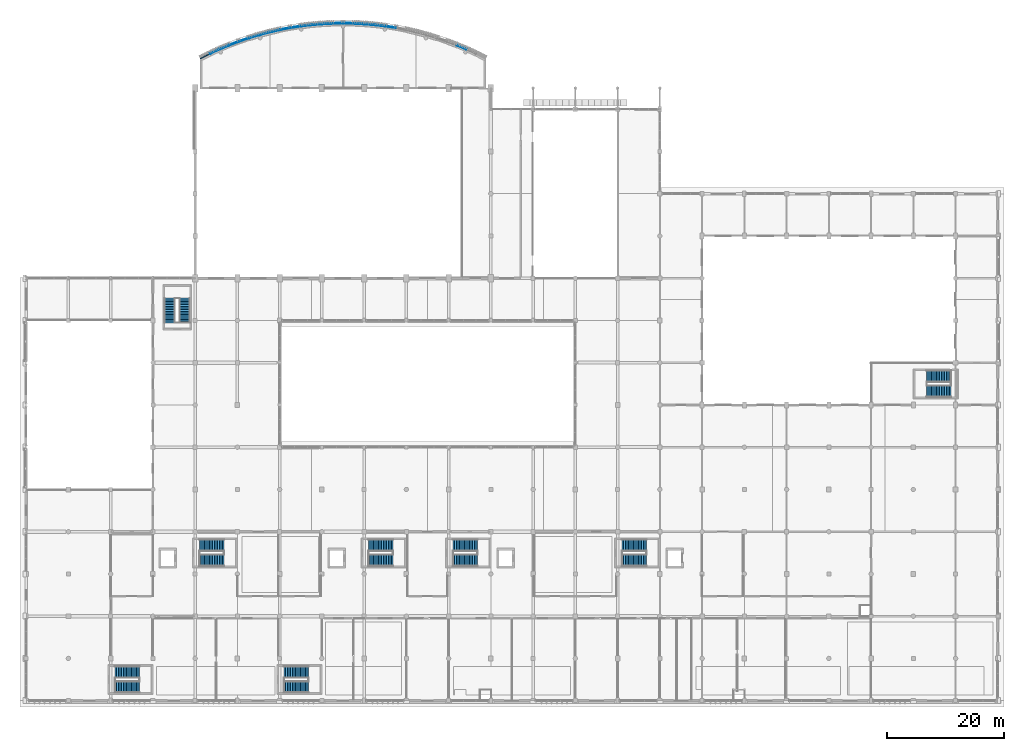
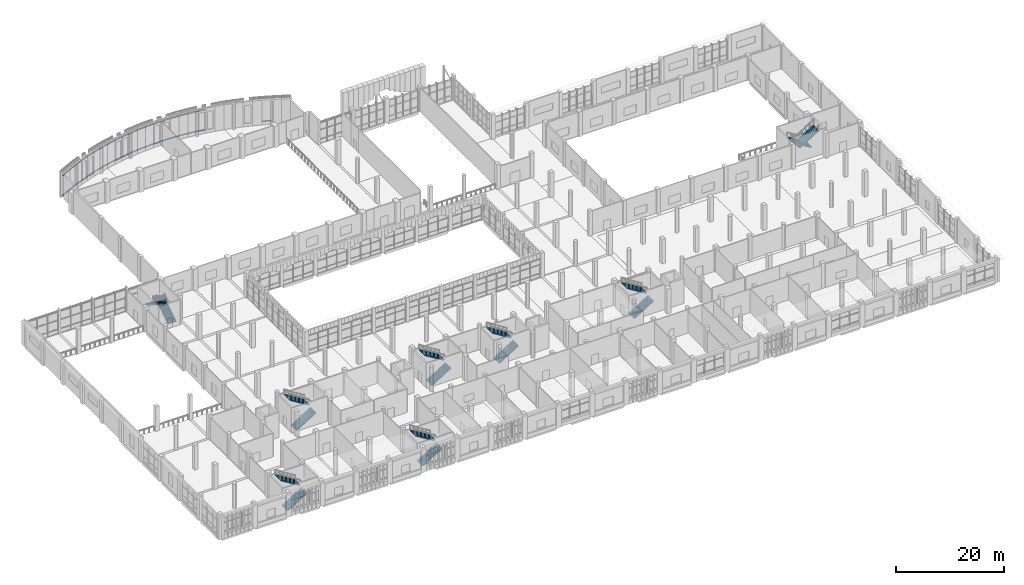
# One storey, part 61 of 80: 39 discrete accessories, 16 stair flights, 8 elements without a shape of their own.
"""IFC4 building model written with IfcOpenShell, lengths in metres."""

from ifc_helpers import new_model, si_unit, direction, frame, origin, place, context, subcontext, project, spatial, polyline, rectangle, outline, extrude, material, type_object, element, aggregate, save


model = new_model("IFC4")

# Units and contexts
model_context = context("Model", 3, precision=1e-05, world=origin(), true_north=direction((0.0, 1.0)))
body_context = subcontext(model_context, "Body", "Model", "MODEL_VIEW")
ifc_project = project(units=[si_unit("LENGTHUNIT", "METRE"), si_unit("AREAUNIT", "SQUARE_METRE"), si_unit("VOLUMEUNIT", "CUBIC_METRE"), si_unit("PLANEANGLEUNIT", "RADIAN"), si_unit("MASSUNIT", "GRAM", prefix="KILO")], contexts=[model_context])

# Site, building, storey
site_placement = place(None, origin())
site = spatial("IfcSite", under=ifc_project, at=site_placement, CompositionType="ELEMENT")
building_placement = place(site_placement, origin())
building = spatial("IfcBuilding", under=site, at=building_placement, Name="Sardonyx Promenade Sports Hall", CompositionType="ELEMENT")
storey_placement = place(building_placement, frame((0.0, 0.0, 5.60009765625)))
storey = spatial("IfcBuildingStorey", under=building, at=storey_placement, Name="L01", CompositionType="ELEMENT", Elevation=5.60009765625)

# Stair, stair flights
ifc_material_1 = material(Name="Concrete C40/50", Category="concrete")
stair_type = type_object("IfcStairType", Name="Stair_Esc_Std_560", PredefinedType="HALF_TURN_STAIR", material=ifc_material_1)
stair_1_placement = place(storey_placement, origin())
stair_1 = element("IfcStair", 1, at=stair_1_placement, inside=storey, type_object=stair_type, Name="Protected escape stair ST1 (L01 to L02)", PredefinedType="HALF_TURN_STAIR")
ifc_material_2 = material(Name="Concrete C40/50", Category="concrete")
stair_flight_type = type_object("IfcStairFlightType", Name="Flt_Esc_560", PredefinedType="STRAIGHT", material=ifc_material_2)
stair_flight_1_placement = place(storey_placement, frame((29.550048828125, 23.925048828125, 0.0), z_axis=(0.0, 0.0, 1.0), x_axis=(1.0, 0.0, 0.0)))
stair_flight_1 = element("IfcStairFlight", 2, at=stair_flight_1_placement, type_object=stair_flight_type, Name="Stair ST1 L01 flight 1", NumberOfRisers=16, NumberOfTreads=15, PredefinedType="STRAIGHT", RiserHeight=0.175, TreadLength=0.28, context=body_context, shape_type="SweptSolid", body=[
    extrude(outline(polyline([(0.0, 0.0), (0.0, 0.175048828125), (0.280029296875, 0.175048828125), (0.280029296875, 0.35009765625), (0.56005859375, 0.35009765625), (0.56005859375, 0.52490234375), (0.840087890625, 0.52490234375), (0.840087890625, 0.699951171875), (1.1201171875, 0.699951171875), (1.1201171875, 0.875), (1.39990234375, 0.875), (1.39990234375, 1.050048828125), (1.679931640625, 1.050048828125), (1.679931640625, 1.22509765625), (1.9599609375, 1.22509765625), (1.9599609375, 1.39990234375), (2.239990234375, 1.39990234375), (2.239990234375, 1.574951171875), (2.52001953125, 1.574951171875), (2.52001953125, 1.75), (2.800048828125, 1.75), (2.800048828125, 1.925048828125), (3.080078125, 1.925048828125), (3.080078125, 2.10009765625), (3.360107421875, 2.10009765625), (3.360107421875, 2.27490234375), (3.639892578125, 2.27490234375), (3.639892578125, 2.449951171875), (3.919921875, 2.449951171875), (3.919921875, 2.625), (4.199951171875, 2.625), (4.199951171875, 2.800048828125), (4.199951171875, 2.412841796875), (0.339599609375, 0.0), (0.0, 0.0)])), frame((0.0, 1.0, 0.0), z_axis=(0.0, -1.0, 0.0), x_axis=(1.0, 0.0, 0.0)), (0.0, 0.0, 1.0), 2.0),
])
stair_flight_2_placement = place(storey_placement, frame((33.75, 26.47509765625, 2.7998046875), z_axis=(0.0, 0.0, 1.0), x_axis=(-1.0, 0.0, 0.0)))
stair_flight_2 = element("IfcStairFlight", 3, at=stair_flight_2_placement, type_object=stair_flight_type, Name="Stair ST1 L01 flight 2", NumberOfRisers=16, NumberOfTreads=15, PredefinedType="STRAIGHT", RiserHeight=0.175, TreadLength=0.28, context=body_context, shape_type="SweptSolid", body=[
    extrude(outline(polyline([(0.0, 0.0), (0.0, 0.175048828125), (0.280029296875, 0.175048828125), (0.280029296875, 0.35009765625), (0.56005859375, 0.35009765625), (0.56005859375, 0.52490234375), (0.840087890625, 0.52490234375), (0.840087890625, 0.699951171875), (1.1201171875, 0.699951171875), (1.1201171875, 0.875), (1.39990234375, 0.875), (1.39990234375, 1.050048828125), (1.679931640625, 1.050048828125), (1.679931640625, 1.22509765625), (1.9599609375, 1.22509765625), (1.9599609375, 1.39990234375), (2.239990234375, 1.39990234375), (2.239990234375, 1.574951171875), (2.52001953125, 1.574951171875), (2.52001953125, 1.75), (2.800048828125, 1.75), (2.800048828125, 1.925048828125), (3.080078125, 1.925048828125), (3.080078125, 2.10009765625), (3.360107421875, 2.10009765625), (3.360107421875, 2.27490234375), (3.639892578125, 2.27490234375), (3.639892578125, 2.449951171875), (3.919921875, 2.449951171875), (3.919921875, 2.625), (4.199951171875, 2.625), (4.199951171875, 2.800048828125), (4.199951171875, 2.412841796875), (0.339599609375, 0.0), (0.0, 0.0)])), frame((0.0, 1.0, 0.0), z_axis=(0.0, -1.0, 0.0), x_axis=(1.0, 0.0, 0.0)), (0.0, 0.0, 1.0), 2.0),
])
aggregate(stair_1, [stair_flight_1, stair_flight_2])

stair_2_placement = place(storey_placement, origin())
stair_2 = element("IfcStair", 4, at=stair_2_placement, inside=storey, type_object=stair_type, Name="Protected escape stair ST2 (L01 to L02)", PredefinedType="HALF_TURN_STAIR")
stair_flight_3_placement = place(storey_placement, frame((101.550048828125, 23.925048828125, 0.0), z_axis=(0.0, 0.0, 1.0), x_axis=(1.0, 0.0, 0.0)))
stair_flight_3 = element("IfcStairFlight", 5, at=stair_flight_3_placement, type_object=stair_flight_type, Name="Stair ST2 L01 flight 1", NumberOfRisers=16, NumberOfTreads=15, PredefinedType="STRAIGHT", RiserHeight=0.175, TreadLength=0.28, context=body_context, shape_type="SweptSolid", body=[
    extrude(outline(polyline([(0.0, 0.0), (0.0, 0.175048828125), (0.280029296875, 0.175048828125), (0.280029296875, 0.35009765625), (0.56005859375, 0.35009765625), (0.56005859375, 0.52490234375), (0.840087890625, 0.52490234375), (0.840087890625, 0.699951171875), (1.1201171875, 0.699951171875), (1.1201171875, 0.875), (1.39990234375, 0.875), (1.39990234375, 1.050048828125), (1.679931640625, 1.050048828125), (1.679931640625, 1.22509765625), (1.9599609375, 1.22509765625), (1.9599609375, 1.39990234375), (2.239990234375, 1.39990234375), (2.239990234375, 1.574951171875), (2.52001953125, 1.574951171875), (2.52001953125, 1.75), (2.800048828125, 1.75), (2.800048828125, 1.925048828125), (3.080078125, 1.925048828125), (3.080078125, 2.10009765625), (3.360107421875, 2.10009765625), (3.360107421875, 2.27490234375), (3.639892578125, 2.27490234375), (3.639892578125, 2.449951171875), (3.919921875, 2.449951171875), (3.919921875, 2.625), (4.199951171875, 2.625), (4.199951171875, 2.800048828125), (4.199951171875, 2.412841796875), (0.339599609375, 0.0), (0.0, 0.0)])), frame((0.0, 1.0, 0.0), z_axis=(0.0, -1.0, 0.0), x_axis=(1.0, 0.0, 0.0)), (0.0, 0.0, 1.0), 2.0),
])
stair_flight_4_placement = place(storey_placement, frame((105.75, 26.47509765625, 2.7998046875), z_axis=(0.0, 0.0, 1.0), x_axis=(-1.0, 0.0, 0.0)))
stair_flight_4 = element("IfcStairFlight", 6, at=stair_flight_4_placement, type_object=stair_flight_type, Name="Stair ST2 L01 flight 2", NumberOfRisers=16, NumberOfTreads=15, PredefinedType="STRAIGHT", RiserHeight=0.175, TreadLength=0.28, context=body_context, shape_type="SweptSolid", body=[
    extrude(outline(polyline([(0.0, 0.0), (0.0, 0.175048828125), (0.280029296875, 0.175048828125), (0.280029296875, 0.35009765625), (0.56005859375, 0.35009765625), (0.56005859375, 0.52490234375), (0.840087890625, 0.52490234375), (0.840087890625, 0.699951171875), (1.1201171875, 0.699951171875), (1.1201171875, 0.875), (1.39990234375, 0.875), (1.39990234375, 1.050048828125), (1.679931640625, 1.050048828125), (1.679931640625, 1.22509765625), (1.9599609375, 1.22509765625), (1.9599609375, 1.39990234375), (2.239990234375, 1.39990234375), (2.239990234375, 1.574951171875), (2.52001953125, 1.574951171875), (2.52001953125, 1.75), (2.800048828125, 1.75), (2.800048828125, 1.925048828125), (3.080078125, 1.925048828125), (3.080078125, 2.10009765625), (3.360107421875, 2.10009765625), (3.360107421875, 2.27490234375), (3.639892578125, 2.27490234375), (3.639892578125, 2.449951171875), (3.919921875, 2.449951171875), (3.919921875, 2.625), (4.199951171875, 2.625), (4.199951171875, 2.800048828125), (4.199951171875, 2.412841796875), (0.339599609375, 0.0), (0.0, 0.0)])), frame((0.0, 1.0, 0.0), z_axis=(0.0, -1.0, 0.0), x_axis=(1.0, 0.0, 0.0)), (0.0, 0.0, 1.0), 2.0),
])
aggregate(stair_2, [stair_flight_3, stair_flight_4])

stair_3_placement = place(storey_placement, origin())
stair_3 = element("IfcStair", 7, at=stair_3_placement, inside=storey, type_object=stair_type, Name="Protected escape stair ST3 (L01 to L02)", PredefinedType="HALF_TURN_STAIR")
stair_flight_5_placement = place(storey_placement, frame((58.35009765625, 23.925048828125, 0.0), z_axis=(0.0, 0.0, 1.0), x_axis=(1.0, 0.0, 0.0)))
stair_flight_5 = element("IfcStairFlight", 8, at=stair_flight_5_placement, type_object=stair_flight_type, Name="Stair ST3 L01 flight 1", NumberOfRisers=16, NumberOfTreads=15, PredefinedType="STRAIGHT", RiserHeight=0.175, TreadLength=0.28, context=body_context, shape_type="SweptSolid", body=[
    extrude(outline(polyline([(0.0, 0.0), (0.0, 0.175048828125), (0.280029296875, 0.175048828125), (0.280029296875, 0.35009765625), (0.56005859375, 0.35009765625), (0.56005859375, 0.52490234375), (0.840087890625, 0.52490234375), (0.840087890625, 0.699951171875), (1.1201171875, 0.699951171875), (1.1201171875, 0.875), (1.39990234375, 0.875), (1.39990234375, 1.050048828125), (1.679931640625, 1.050048828125), (1.679931640625, 1.22509765625), (1.9599609375, 1.22509765625), (1.9599609375, 1.39990234375), (2.239990234375, 1.39990234375), (2.239990234375, 1.574951171875), (2.52001953125, 1.574951171875), (2.52001953125, 1.75), (2.800048828125, 1.75), (2.800048828125, 1.925048828125), (3.080078125, 1.925048828125), (3.080078125, 2.10009765625), (3.360107421875, 2.10009765625), (3.360107421875, 2.27490234375), (3.639892578125, 2.27490234375), (3.639892578125, 2.449951171875), (3.919921875, 2.449951171875), (3.919921875, 2.625), (4.199951171875, 2.625), (4.199951171875, 2.800048828125), (4.199951171875, 2.412841796875), (0.339599609375, 0.0), (0.0, 0.0)])), frame((0.0, 1.0, 0.0), z_axis=(0.0, -1.0, 0.0), x_axis=(1.0, 0.0, 0.0)), (0.0, 0.0, 1.0), 2.0),
])
stair_flight_6_placement = place(storey_placement, frame((62.550048828125, 26.47509765625, 2.7998046875), z_axis=(0.0, 0.0, 1.0), x_axis=(-1.0, 0.0, 0.0)))
stair_flight_6 = element("IfcStairFlight", 9, at=stair_flight_6_placement, type_object=stair_flight_type, Name="Stair ST3 L01 flight 2", NumberOfRisers=16, NumberOfTreads=15, PredefinedType="STRAIGHT", RiserHeight=0.175, TreadLength=0.28, context=body_context, shape_type="SweptSolid", body=[
    extrude(outline(polyline([(0.0, 0.0), (0.0, 0.175048828125), (0.280029296875, 0.175048828125), (0.280029296875, 0.35009765625), (0.56005859375, 0.35009765625), (0.56005859375, 0.52490234375), (0.840087890625, 0.52490234375), (0.840087890625, 0.699951171875), (1.1201171875, 0.699951171875), (1.1201171875, 0.875), (1.39990234375, 0.875), (1.39990234375, 1.050048828125), (1.679931640625, 1.050048828125), (1.679931640625, 1.22509765625), (1.9599609375, 1.22509765625), (1.9599609375, 1.39990234375), (2.239990234375, 1.39990234375), (2.239990234375, 1.574951171875), (2.52001953125, 1.574951171875), (2.52001953125, 1.75), (2.800048828125, 1.75), (2.800048828125, 1.925048828125), (3.080078125, 1.925048828125), (3.080078125, 2.10009765625), (3.360107421875, 2.10009765625), (3.360107421875, 2.27490234375), (3.639892578125, 2.27490234375), (3.639892578125, 2.449951171875), (3.919921875, 2.449951171875), (3.919921875, 2.625), (4.199951171875, 2.625), (4.199951171875, 2.800048828125), (4.199951171875, 2.412841796875), (0.339599609375, 0.0), (0.0, 0.0)])), frame((0.0, 1.0, 0.0), z_axis=(0.0, -1.0, 0.0), x_axis=(1.0, 0.0, 0.0)), (0.0, 0.0, 1.0), 2.0),
])
aggregate(stair_3, [stair_flight_5, stair_flight_6])

stair_4_placement = place(storey_placement, origin())
stair_4 = element("IfcStair", 10, at=stair_4_placement, inside=storey, type_object=stair_type, Name="Protected escape stair ST4 (L01 to L02)", PredefinedType="HALF_TURN_STAIR")
stair_flight_7_placement = place(storey_placement, frame((72.75, 23.925048828125, 0.0), z_axis=(0.0, 0.0, 1.0), x_axis=(1.0, 0.0, 0.0)))
stair_flight_7 = element("IfcStairFlight", 11, at=stair_flight_7_placement, type_object=stair_flight_type, Name="Stair ST4 L01 flight 1", NumberOfRisers=16, NumberOfTreads=15, PredefinedType="STRAIGHT", RiserHeight=0.175, TreadLength=0.28, context=body_context, shape_type="SweptSolid", body=[
    extrude(outline(polyline([(0.0, 0.0), (0.0, 0.175048828125), (0.280029296875, 0.175048828125), (0.280029296875, 0.35009765625), (0.56005859375, 0.35009765625), (0.56005859375, 0.52490234375), (0.840087890625, 0.52490234375), (0.840087890625, 0.699951171875), (1.1201171875, 0.699951171875), (1.1201171875, 0.875), (1.39990234375, 0.875), (1.39990234375, 1.050048828125), (1.679931640625, 1.050048828125), (1.679931640625, 1.22509765625), (1.9599609375, 1.22509765625), (1.9599609375, 1.39990234375), (2.239990234375, 1.39990234375), (2.239990234375, 1.574951171875), (2.52001953125, 1.574951171875), (2.52001953125, 1.75), (2.800048828125, 1.75), (2.800048828125, 1.925048828125), (3.080078125, 1.925048828125), (3.080078125, 2.10009765625), (3.360107421875, 2.10009765625), (3.360107421875, 2.27490234375), (3.639892578125, 2.27490234375), (3.639892578125, 2.449951171875), (3.919921875, 2.449951171875), (3.919921875, 2.625), (4.199951171875, 2.625), (4.199951171875, 2.800048828125), (4.199951171875, 2.412841796875), (0.339599609375, 0.0), (0.0, 0.0)])), frame((0.0, 1.0, 0.0), z_axis=(0.0, -1.0, 0.0), x_axis=(1.0, 0.0, 0.0)), (0.0, 0.0, 1.0), 2.0),
])
stair_flight_8_placement = place(storey_placement, frame((76.949951171875, 26.47509765625, 2.7998046875), z_axis=(0.0, 0.0, 1.0), x_axis=(-1.0, 0.0, 0.0)))
stair_flight_8 = element("IfcStairFlight", 12, at=stair_flight_8_placement, type_object=stair_flight_type, Name="Stair ST4 L01 flight 2", NumberOfRisers=16, NumberOfTreads=15, PredefinedType="STRAIGHT", RiserHeight=0.175, TreadLength=0.28, context=body_context, shape_type="SweptSolid", body=[
    extrude(outline(polyline([(0.0, 0.0), (0.0, 0.175048828125), (0.280029296875, 0.175048828125), (0.280029296875, 0.35009765625), (0.56005859375, 0.35009765625), (0.56005859375, 0.52490234375), (0.840087890625, 0.52490234375), (0.840087890625, 0.699951171875), (1.1201171875, 0.699951171875), (1.1201171875, 0.875), (1.39990234375, 0.875), (1.39990234375, 1.050048828125), (1.679931640625, 1.050048828125), (1.679931640625, 1.22509765625), (1.9599609375, 1.22509765625), (1.9599609375, 1.39990234375), (2.239990234375, 1.39990234375), (2.239990234375, 1.574951171875), (2.52001953125, 1.574951171875), (2.52001953125, 1.75), (2.800048828125, 1.75), (2.800048828125, 1.925048828125), (3.080078125, 1.925048828125), (3.080078125, 2.10009765625), (3.360107421875, 2.10009765625), (3.360107421875, 2.27490234375), (3.639892578125, 2.27490234375), (3.639892578125, 2.449951171875), (3.919921875, 2.449951171875), (3.919921875, 2.625), (4.199951171875, 2.625), (4.199951171875, 2.800048828125), (4.199951171875, 2.412841796875), (0.339599609375, 0.0), (0.0, 0.0)])), frame((0.0, 1.0, 0.0), z_axis=(0.0, -1.0, 0.0), x_axis=(1.0, 0.0, 0.0)), (0.0, 0.0, 1.0), 2.0),
])
aggregate(stair_4, [stair_flight_7, stair_flight_8])

stair_5_placement = place(storey_placement, origin())
stair_5 = element("IfcStair", 13, at=stair_5_placement, inside=storey, type_object=stair_type, Name="Protected escape stair ST5 (L01 to L02)", PredefinedType="HALF_TURN_STAIR")
stair_flight_9_placement = place(storey_placement, frame((15.14990234375, 2.324951171875, 0.0), z_axis=(0.0, 0.0, 1.0), x_axis=(1.0, 0.0, 0.0)))
stair_flight_9 = element("IfcStairFlight", 14, at=stair_flight_9_placement, type_object=stair_flight_type, Name="Stair ST5 L01 flight 1", NumberOfRisers=16, NumberOfTreads=15, PredefinedType="STRAIGHT", RiserHeight=0.175, TreadLength=0.28, context=body_context, shape_type="SweptSolid", body=[
    extrude(outline(polyline([(0.0, 0.0), (0.0, 0.175048828125), (0.280029296875, 0.175048828125), (0.280029296875, 0.35009765625), (0.56005859375, 0.35009765625), (0.56005859375, 0.52490234375), (0.840087890625, 0.52490234375), (0.840087890625, 0.699951171875), (1.1201171875, 0.699951171875), (1.1201171875, 0.875), (1.39990234375, 0.875), (1.39990234375, 1.050048828125), (1.679931640625, 1.050048828125), (1.679931640625, 1.22509765625), (1.9599609375, 1.22509765625), (1.9599609375, 1.39990234375), (2.239990234375, 1.39990234375), (2.239990234375, 1.574951171875), (2.52001953125, 1.574951171875), (2.52001953125, 1.75), (2.800048828125, 1.75), (2.800048828125, 1.925048828125), (3.080078125, 1.925048828125), (3.080078125, 2.10009765625), (3.360107421875, 2.10009765625), (3.360107421875, 2.27490234375), (3.639892578125, 2.27490234375), (3.639892578125, 2.449951171875), (3.919921875, 2.449951171875), (3.919921875, 2.625), (4.199951171875, 2.625), (4.199951171875, 2.800048828125), (4.199951171875, 2.412841796875), (0.339599609375, 0.0), (0.0, 0.0)])), frame((0.0, 1.0, 0.0), z_axis=(0.0, -1.0, 0.0), x_axis=(1.0, 0.0, 0.0)), (0.0, 0.0, 1.0), 2.0),
])
stair_flight_10_placement = place(storey_placement, frame((19.35009765625, 4.875, 2.7998046875), z_axis=(0.0, 0.0, 1.0), x_axis=(-1.0, 0.0, 0.0)))
stair_flight_10 = element("IfcStairFlight", 15, at=stair_flight_10_placement, type_object=stair_flight_type, Name="Stair ST5 L01 flight 2", NumberOfRisers=16, NumberOfTreads=15, PredefinedType="STRAIGHT", RiserHeight=0.175, TreadLength=0.28, context=body_context, shape_type="SweptSolid", body=[
    extrude(outline(polyline([(0.0, 0.0), (0.0, 0.175048828125), (0.280029296875, 0.175048828125), (0.280029296875, 0.35009765625), (0.56005859375, 0.35009765625), (0.56005859375, 0.52490234375), (0.840087890625, 0.52490234375), (0.840087890625, 0.699951171875), (1.1201171875, 0.699951171875), (1.1201171875, 0.875), (1.39990234375, 0.875), (1.39990234375, 1.050048828125), (1.679931640625, 1.050048828125), (1.679931640625, 1.22509765625), (1.9599609375, 1.22509765625), (1.9599609375, 1.39990234375), (2.239990234375, 1.39990234375), (2.239990234375, 1.574951171875), (2.52001953125, 1.574951171875), (2.52001953125, 1.75), (2.800048828125, 1.75), (2.800048828125, 1.925048828125), (3.080078125, 1.925048828125), (3.080078125, 2.10009765625), (3.360107421875, 2.10009765625), (3.360107421875, 2.27490234375), (3.639892578125, 2.27490234375), (3.639892578125, 2.449951171875), (3.919921875, 2.449951171875), (3.919921875, 2.625), (4.199951171875, 2.625), (4.199951171875, 2.800048828125), (4.199951171875, 2.412841796875), (0.339599609375, 0.0), (0.0, 0.0)])), frame((0.0, 1.0, 0.0), z_axis=(0.0, -1.0, 0.0), x_axis=(1.0, 0.0, 0.0)), (0.0, 0.0, 1.0), 2.0),
])
aggregate(stair_5, [stair_flight_9, stair_flight_10])

stair_6_placement = place(storey_placement, origin())
stair_6 = element("IfcStair", 16, at=stair_6_placement, inside=storey, type_object=stair_type, Name="Protected escape stair ST6 (L01 to L02)", PredefinedType="HALF_TURN_STAIR")
stair_flight_11_placement = place(storey_placement, frame((43.949951171875, 2.324951171875, 0.0), z_axis=(0.0, 0.0, 1.0), x_axis=(1.0, 0.0, 0.0)))
stair_flight_11 = element("IfcStairFlight", 17, at=stair_flight_11_placement, type_object=stair_flight_type, Name="Stair ST6 L01 flight 1", NumberOfRisers=16, NumberOfTreads=15, PredefinedType="STRAIGHT", RiserHeight=0.175, TreadLength=0.28, context=body_context, shape_type="SweptSolid", body=[
    extrude(outline(polyline([(0.0, 0.0), (0.0, 0.175048828125), (0.280029296875, 0.175048828125), (0.280029296875, 0.35009765625), (0.56005859375, 0.35009765625), (0.56005859375, 0.52490234375), (0.840087890625, 0.52490234375), (0.840087890625, 0.699951171875), (1.1201171875, 0.699951171875), (1.1201171875, 0.875), (1.39990234375, 0.875), (1.39990234375, 1.050048828125), (1.679931640625, 1.050048828125), (1.679931640625, 1.22509765625), (1.9599609375, 1.22509765625), (1.9599609375, 1.39990234375), (2.239990234375, 1.39990234375), (2.239990234375, 1.574951171875), (2.52001953125, 1.574951171875), (2.52001953125, 1.75), (2.800048828125, 1.75), (2.800048828125, 1.925048828125), (3.080078125, 1.925048828125), (3.080078125, 2.10009765625), (3.360107421875, 2.10009765625), (3.360107421875, 2.27490234375), (3.639892578125, 2.27490234375), (3.639892578125, 2.449951171875), (3.919921875, 2.449951171875), (3.919921875, 2.625), (4.199951171875, 2.625), (4.199951171875, 2.800048828125), (4.199951171875, 2.412841796875), (0.339599609375, 0.0), (0.0, 0.0)])), frame((0.0, 1.0, 0.0), z_axis=(0.0, -1.0, 0.0), x_axis=(1.0, 0.0, 0.0)), (0.0, 0.0, 1.0), 2.0),
])
stair_flight_12_placement = place(storey_placement, frame((48.14990234375, 4.875, 2.7998046875), z_axis=(0.0, 0.0, 1.0), x_axis=(-1.0, 0.0, 0.0)))
stair_flight_12 = element("IfcStairFlight", 18, at=stair_flight_12_placement, type_object=stair_flight_type, Name="Stair ST6 L01 flight 2", NumberOfRisers=16, NumberOfTreads=15, PredefinedType="STRAIGHT", RiserHeight=0.175, TreadLength=0.28, context=body_context, shape_type="SweptSolid", body=[
    extrude(outline(polyline([(0.0, 0.0), (0.0, 0.175048828125), (0.280029296875, 0.175048828125), (0.280029296875, 0.35009765625), (0.56005859375, 0.35009765625), (0.56005859375, 0.52490234375), (0.840087890625, 0.52490234375), (0.840087890625, 0.699951171875), (1.1201171875, 0.699951171875), (1.1201171875, 0.875), (1.39990234375, 0.875), (1.39990234375, 1.050048828125), (1.679931640625, 1.050048828125), (1.679931640625, 1.22509765625), (1.9599609375, 1.22509765625), (1.9599609375, 1.39990234375), (2.239990234375, 1.39990234375), (2.239990234375, 1.574951171875), (2.52001953125, 1.574951171875), (2.52001953125, 1.75), (2.800048828125, 1.75), (2.800048828125, 1.925048828125), (3.080078125, 1.925048828125), (3.080078125, 2.10009765625), (3.360107421875, 2.10009765625), (3.360107421875, 2.27490234375), (3.639892578125, 2.27490234375), (3.639892578125, 2.449951171875), (3.919921875, 2.449951171875), (3.919921875, 2.625), (4.199951171875, 2.625), (4.199951171875, 2.800048828125), (4.199951171875, 2.412841796875), (0.339599609375, 0.0), (0.0, 0.0)])), frame((0.0, 1.0, 0.0), z_axis=(0.0, -1.0, 0.0), x_axis=(1.0, 0.0, 0.0)), (0.0, 0.0, 1.0), 2.0),
])
aggregate(stair_6, [stair_flight_11, stair_flight_12])

stair_7_placement = place(storey_placement, origin())
stair_7 = element("IfcStair", 19, at=stair_7_placement, inside=storey, type_object=stair_type, Name="Protected escape stair ST7 (L01 to L02)", PredefinedType="HALF_TURN_STAIR")
stair_flight_13_placement = place(storey_placement, frame((27.02490234375, 64.39990234375, 0.0), z_axis=(0.0, 0.0, 1.0), x_axis=(0.0, 1.0, 0.0)))
stair_flight_13 = element("IfcStairFlight", 20, at=stair_flight_13_placement, type_object=stair_flight_type, Name="Stair ST7 L01 flight 1", NumberOfRisers=16, NumberOfTreads=15, PredefinedType="STRAIGHT", RiserHeight=0.175, TreadLength=0.28, context=body_context, shape_type="SweptSolid", body=[
    extrude(outline(polyline([(0.0, 0.0), (0.0, 0.175048828125), (0.280029296875, 0.175048828125), (0.280029296875, 0.35009765625), (0.56005859375, 0.35009765625), (0.56005859375, 0.52490234375), (0.840087890625, 0.52490234375), (0.840087890625, 0.699951171875), (1.1201171875, 0.699951171875), (1.1201171875, 0.875), (1.39990234375, 0.875), (1.39990234375, 1.050048828125), (1.679931640625, 1.050048828125), (1.679931640625, 1.22509765625), (1.9599609375, 1.22509765625), (1.9599609375, 1.39990234375), (2.239990234375, 1.39990234375), (2.239990234375, 1.574951171875), (2.52001953125, 1.574951171875), (2.52001953125, 1.75), (2.800048828125, 1.75), (2.800048828125, 1.925048828125), (3.080078125, 1.925048828125), (3.080078125, 2.10009765625), (3.360107421875, 2.10009765625), (3.360107421875, 2.27490234375), (3.639892578125, 2.27490234375), (3.639892578125, 2.449951171875), (3.919921875, 2.449951171875), (3.919921875, 2.625), (4.199951171875, 2.625), (4.199951171875, 2.800048828125), (4.199951171875, 2.412841796875), (0.339599609375, 0.0), (0.0, 0.0)])), frame((0.0, 0.89990234375, 0.0), z_axis=(0.0, -1.0, 0.0), x_axis=(1.0, 0.0, 0.0)), (0.0, 0.0, 1.0), 1.800048828125),
])
stair_flight_14_placement = place(storey_placement, frame((24.47509765625, 68.60009765625, 2.7998046875), z_axis=(0.0, 0.0, 1.0), x_axis=(0.0, -1.0, 0.0)))
stair_flight_14 = element("IfcStairFlight", 21, at=stair_flight_14_placement, type_object=stair_flight_type, Name="Stair ST7 L01 flight 2", NumberOfRisers=16, NumberOfTreads=15, PredefinedType="STRAIGHT", RiserHeight=0.175, TreadLength=0.28, context=body_context, shape_type="SweptSolid", body=[
    extrude(outline(polyline([(0.0, 0.0), (0.0, 0.175048828125), (0.280029296875, 0.175048828125), (0.280029296875, 0.35009765625), (0.56005859375, 0.35009765625), (0.56005859375, 0.52490234375), (0.840087890625, 0.52490234375), (0.840087890625, 0.699951171875), (1.1201171875, 0.699951171875), (1.1201171875, 0.875), (1.39990234375, 0.875), (1.39990234375, 1.050048828125), (1.679931640625, 1.050048828125), (1.679931640625, 1.22509765625), (1.9599609375, 1.22509765625), (1.9599609375, 1.39990234375), (2.239990234375, 1.39990234375), (2.239990234375, 1.574951171875), (2.52001953125, 1.574951171875), (2.52001953125, 1.75), (2.800048828125, 1.75), (2.800048828125, 1.925048828125), (3.080078125, 1.925048828125), (3.080078125, 2.10009765625), (3.360107421875, 2.10009765625), (3.360107421875, 2.27490234375), (3.639892578125, 2.27490234375), (3.639892578125, 2.449951171875), (3.919921875, 2.449951171875), (3.919921875, 2.625), (4.199951171875, 2.625), (4.199951171875, 2.800048828125), (4.199951171875, 2.412841796875), (0.339599609375, 0.0), (0.0, 0.0)])), frame((0.0, 0.89990234375, 0.0), z_axis=(0.0, -1.0, 0.0), x_axis=(1.0, 0.0, 0.0)), (0.0, 0.0, 1.0), 1.800048828125),
])
aggregate(stair_7, [stair_flight_13, stair_flight_14])

stair_8_placement = place(storey_placement, origin())
stair_8 = element("IfcStair", 22, at=stair_8_placement, inside=storey, type_object=stair_type, Name="Protected escape stair ST8 (L01 to L02)", PredefinedType="HALF_TURN_STAIR")
stair_flight_15_placement = place(storey_placement, frame((157.64990234375, 55.27490234375, 0.0), z_axis=(0.0, 0.0, 1.0), x_axis=(-1.0, 0.0, 0.0)))
stair_flight_15 = element("IfcStairFlight", 23, at=stair_flight_15_placement, type_object=stair_flight_type, Name="Stair ST8 L01 flight 1", NumberOfRisers=16, NumberOfTreads=15, PredefinedType="STRAIGHT", RiserHeight=0.175, TreadLength=0.28, context=body_context, shape_type="SweptSolid", body=[
    extrude(outline(polyline([(0.0, 0.0), (0.0, 0.175048828125), (0.280029296875, 0.175048828125), (0.280029296875, 0.35009765625), (0.56005859375, 0.35009765625), (0.56005859375, 0.52490234375), (0.840087890625, 0.52490234375), (0.840087890625, 0.699951171875), (1.1201171875, 0.699951171875), (1.1201171875, 0.875), (1.39990234375, 0.875), (1.39990234375, 1.050048828125), (1.679931640625, 1.050048828125), (1.679931640625, 1.22509765625), (1.9599609375, 1.22509765625), (1.9599609375, 1.39990234375), (2.239990234375, 1.39990234375), (2.239990234375, 1.574951171875), (2.52001953125, 1.574951171875), (2.52001953125, 1.75), (2.800048828125, 1.75), (2.800048828125, 1.925048828125), (3.080078125, 1.925048828125), (3.080078125, 2.10009765625), (3.360107421875, 2.10009765625), (3.360107421875, 2.27490234375), (3.639892578125, 2.27490234375), (3.639892578125, 2.449951171875), (3.919921875, 2.449951171875), (3.919921875, 2.625), (4.199951171875, 2.625), (4.199951171875, 2.800048828125), (4.199951171875, 2.412841796875), (0.339599609375, 0.0), (0.0, 0.0)])), frame((0.0, 1.0, 0.0), z_axis=(0.0, -1.0, 0.0), x_axis=(1.0, 0.0, 0.0)), (0.0, 0.0, 1.0), 2.0),
])
stair_flight_16_placement = place(storey_placement, frame((153.449951171875, 52.72509765625, 2.7998046875), z_axis=(0.0, 0.0, 1.0), x_axis=(1.0, 0.0, 0.0)))
stair_flight_16 = element("IfcStairFlight", 24, at=stair_flight_16_placement, type_object=stair_flight_type, Name="Stair ST8 L01 flight 2", NumberOfRisers=16, NumberOfTreads=15, PredefinedType="STRAIGHT", RiserHeight=0.175, TreadLength=0.28, context=body_context, shape_type="SweptSolid", body=[
    extrude(outline(polyline([(0.0, 0.0), (0.0, 0.175048828125), (0.280029296875, 0.175048828125), (0.280029296875, 0.35009765625), (0.56005859375, 0.35009765625), (0.56005859375, 0.52490234375), (0.840087890625, 0.52490234375), (0.840087890625, 0.699951171875), (1.1201171875, 0.699951171875), (1.1201171875, 0.875), (1.39990234375, 0.875), (1.39990234375, 1.050048828125), (1.679931640625, 1.050048828125), (1.679931640625, 1.22509765625), (1.9599609375, 1.22509765625), (1.9599609375, 1.39990234375), (2.239990234375, 1.39990234375), (2.239990234375, 1.574951171875), (2.52001953125, 1.574951171875), (2.52001953125, 1.75), (2.800048828125, 1.75), (2.800048828125, 1.925048828125), (3.080078125, 1.925048828125), (3.080078125, 2.10009765625), (3.360107421875, 2.10009765625), (3.360107421875, 2.27490234375), (3.639892578125, 2.27490234375), (3.639892578125, 2.449951171875), (3.919921875, 2.449951171875), (3.919921875, 2.625), (4.199951171875, 2.625), (4.199951171875, 2.800048828125), (4.199951171875, 2.412841796875), (0.339599609375, 0.0), (0.0, 0.0)])), frame((0.0, 1.0, 0.0), z_axis=(0.0, -1.0, 0.0), x_axis=(1.0, 0.0, 0.0)), (0.0, 0.0, 1.0), 2.0),
])
aggregate(stair_8, [stair_flight_15, stair_flight_16])

# Discrete accessories
ifc_material_3 = material(Name="Steel S355JR", Category="steel")
discrete_accessory_type = type_object("IfcDiscreteAccessoryType", Name="Acc_Bracket_S355", PredefinedType="BRACKET", material=ifc_material_3)
for number, where, z_axis, x_axis, name in (
    (25, (30.469122, 109.831552, 0.509902), (0.0, 0.0, 1.0), (0.89277382, 0.45050517, 0.0), "Facade outrigger bracket CH01 L01 #1"),
    (26, (30.469122, 109.831552, 4.969902), (0.0, 0.0, 1.0), (0.89277382, 0.45050517, 0.0), "Facade outrigger bracket CH01 L01 #2"),
    (27, (32.097147, 110.618023, 0.509902), (0.0, 0.0, 1.0), (0.90783091, 0.41933642, 0.0), "Facade outrigger bracket CH02 L01 #1"),
    (28, (32.097147, 110.618023, 4.969902), (0.0, 0.0, 1.0), (0.90783091, 0.41933642, 0.0), "Facade outrigger bracket CH02 L01 #2"),
    (29, (33.751417, 111.347677, 0.509902), (0.0, 0.0, 1.0), (0.92180024, 0.38766521, 0.0), "Facade outrigger bracket CH03 L01 #1"),
    (30, (33.751417, 111.347677, 4.969902), (0.0, 0.0, 1.0), (0.92180024, 0.38766521, 0.0), "Facade outrigger bracket CH03 L01 #2"),
    (31, (35.429949, 112.019638, 0.509902), (0.0, 0.0, 1.0), (0.93466568, 0.35552787, 0.0), "Facade outrigger bracket CH04 L01 #1"),
    (32, (35.429949, 112.019638, 4.969902), (0.0, 0.0, 1.0), (0.93466568, 0.35552787, 0.0), "Facade outrigger bracket CH04 L01 #2"),
    (33, (37.130732, 112.633102, 0.509902), (0.0, 0.0, 1.0), (0.94641052, 0.32296615, 0.0), "Facade outrigger bracket CH05 L01 #1"),
    (34, (37.130732, 112.633102, 4.969902), (0.0, 0.0, 1.0), (0.94641052, 0.32296615, 0.0), "Facade outrigger bracket CH05 L01 #2"),
    (35, (38.851728, 113.187335, 0.509902), (0.0, 0.0, 1.0), (0.95702136, 0.29001744, 0.0), "Facade outrigger bracket CH06 L01 #1"),
    (36, (38.851728, 113.187335, 4.969902), (0.0, 0.0, 1.0), (0.95702136, 0.29001744, 0.0), "Facade outrigger bracket CH06 L01 #2"),
    (37, (40.590875, 113.681672, 0.509902), (0.0, 0.0, 1.0), (0.96648549, 0.25672123, 0.0), "Facade outrigger bracket CH07 L01 #1"),
    (38, (40.590875, 113.681672, 4.969902), (0.0, 0.0, 1.0), (0.96648549, 0.25672123, 0.0), "Facade outrigger bracket CH07 L01 #2"),
    (39, (42.346089, 114.11552, 0.509902), (0.0, 0.0, 1.0), (0.97479158, 0.22311741, 0.0), "Facade outrigger bracket CH08 L01 #1"),
    (40, (42.346089, 114.11552, 4.969902), (0.0, 0.0, 1.0), (0.97479158, 0.22311741, 0.0), "Facade outrigger bracket CH08 L01 #2"),
    (41, (44.115267, 114.488361, 0.509902), (0.0, 0.0, 1.0), (0.98192966, 0.18924626, 0.0), "Facade outrigger bracket CH09 L01 #1"),
    (42, (44.115267, 114.488361, 4.969902), (0.0, 0.0, 1.0), (0.98192966, 0.18924626, 0.0), "Facade outrigger bracket CH09 L01 #2"),
    (43, (45.89629, 114.799746, 0.509902), (0.0, 0.0, 1.0), (0.98789118, 0.15514835, 0.0), "Facade outrigger bracket CH10 L01 #1"),
    (44, (45.89629, 114.799746, 4.969902), (0.0, 0.0, 1.0), (0.98789118, 0.15514835, 0.0), "Facade outrigger bracket CH10 L01 #2"),
    (45, (47.687023, 115.049303, 0.509902), (0.0, 0.0, 1.0), (0.99266922, 0.1208628, 0.0), "Facade outrigger bracket CH11 L01 #1"),
    (46, (47.687023, 115.049303, 4.969902), (0.0, 0.0, 1.0), (0.99266922, 0.1208628, 0.0), "Facade outrigger bracket CH11 L01 #2"),
    (47, (49.48532, 115.236732, 0.509902), (0.0, 0.0, 1.0), (0.99625756, 0.08643416, 0.0), "Facade outrigger bracket CH12 L01 #1"),
    (48, (49.48532, 115.236732, 4.969902), (0.0, 0.0, 1.0), (0.99625756, 0.08643416, 0.0), "Facade outrigger bracket CH12 L01 #2"),
    (49, (51.289026, 115.361811, 0.509902), (0.0, 0.0, 1.0), (0.99865218, 0.05190196, 0.0), "Facade outrigger bracket CH13 L01 #1"),
    (50, (51.289026, 115.361811, 4.969902), (0.0, 0.0, 1.0), (0.99865218, 0.05190196, 0.0), "Facade outrigger bracket CH13 L01 #2"),
    (51, (53.095981, 115.424387, 0.509902), (0.0, 0.0, 1.0), (0.99985021, 0.01730757, 0.0), "Facade outrigger bracket CH14 L01 #1"),
    (52, (53.095981, 115.424387, 4.969902), (0.0, 0.0, 1.0), (0.99985021, 0.01730757, 0.0), "Facade outrigger bracket CH14 L01 #2"),
    (53, (54.904019, 115.424387, 0.509902), (0.0, 0.0, 1.0), (0.99985021, -0.01730757, 0.0), "Facade outrigger bracket CH15 L01 #1"),
    (54, (54.904019, 115.424387, 4.969902), (0.0, 0.0, 1.0), (0.99985021, -0.01730757, 0.0), "Facade outrigger bracket CH15 L01 #2"),
    (55, (56.710974, 115.361811, 0.509902), (0.0, 0.0, 1.0), (0.99865218, -0.05190196, 0.0), "Facade outrigger bracket CH16 L01 #1"),
    (56, (56.710974, 115.361811, 4.969902), (0.0, 0.0, 1.0), (0.99865218, -0.05190196, 0.0), "Facade outrigger bracket CH16 L01 #2"),
    (57, (58.51468, 115.236732, 0.509902), (0.0, 0.0, 1.0), (0.99625756, -0.08643416, 0.0), "Facade outrigger bracket CH17 L01 #1"),
    (58, (58.51468, 115.236732, 4.969902), (0.0, 0.0, 1.0), (0.99625756, -0.08643416, 0.0), "Facade outrigger bracket CH17 L01 #2"),
    (59, (60.312977, 115.049303, 0.509902), (0.0, 0.0, 1.0), (0.99266922, -0.1208628, 0.0), "Facade outrigger bracket CH18 L01 #1"),
    (60, (60.312977, 115.049303, 4.969902), (0.0, 0.0, 1.0), (0.99266922, -0.1208628, 0.0), "Facade outrigger bracket CH18 L01 #2"),
    (61, (62.10371, 114.799746, 0.509902), (0.0, 0.0, 1.0), (0.98789118, -0.15514835, 0.0), "Facade outrigger bracket CH19 L01 #1"),
    (62, (62.10371, 114.799746, 4.969902), (0.0, 0.0, 1.0), (0.98789118, -0.15514835, 0.0), "Facade outrigger bracket CH19 L01 #2"),
    (63, (74.248583, 111.347677, 0.509902), (0.0, 0.0, 1.0), (0.92180024, -0.38766521, 0.0), "Facade outrigger bracket CH26 L01 #1"),
):
    element("IfcDiscreteAccessory", number, at=place(storey_placement, frame(where, z_axis=z_axis, x_axis=x_axis)), inside=storey, type_object=discrete_accessory_type, material=ifc_material_3, Name=name, PredefinedType="BRACKET", context=body_context, shape_type="SweptSolid", body=[
        extrude(rectangle(XDim=1.74, YDim=0.16), origin(), (0.0, 0.0, 1.0), 0.12),
    ])

save(model, "model.ifc")
